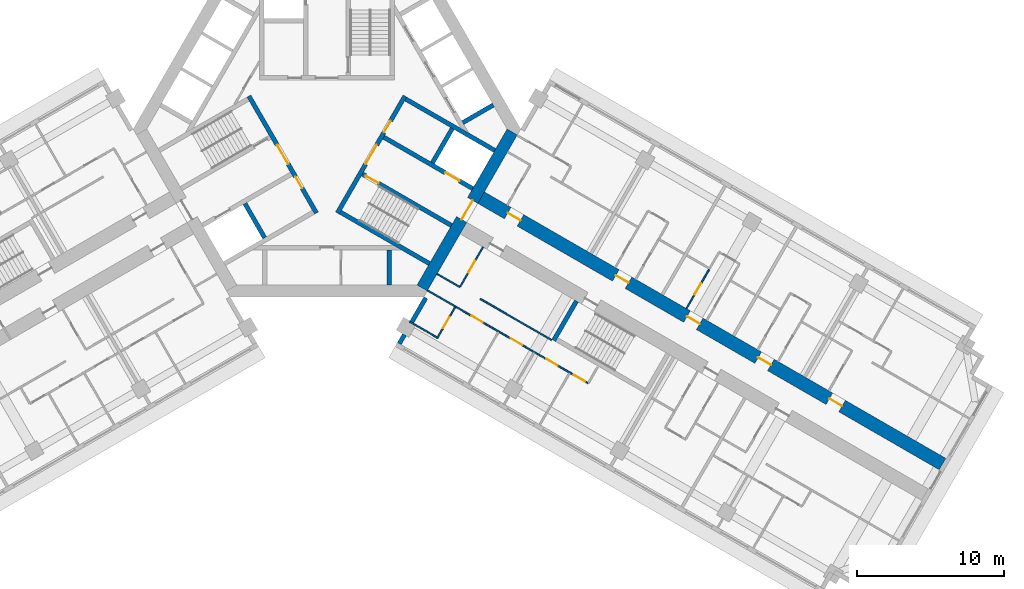
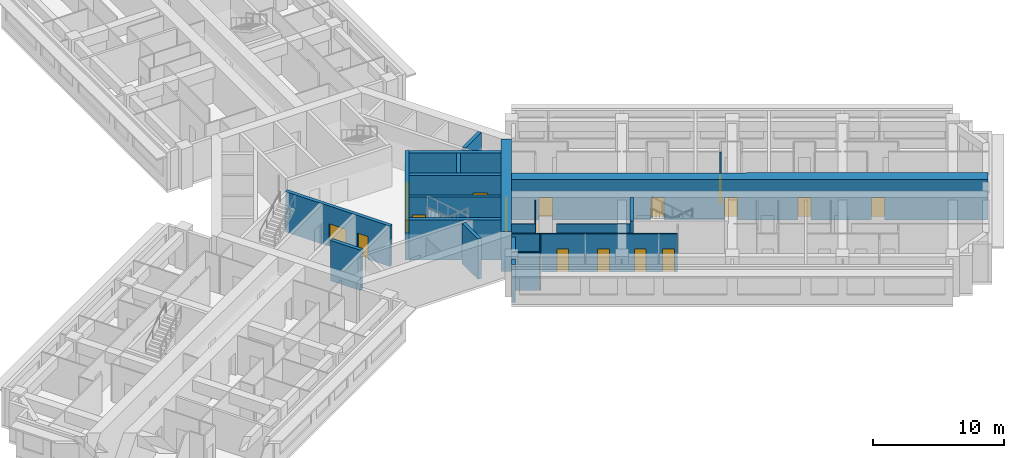
# One storey, part 6 of 14: 22 walls, 19 doors, 19 openings.
"""IFC4 building model written with IfcOpenShell, lengths in metres."""

from ifc_helpers import new_model, si_unit, direction, frame, frame_2d, origin, place, context, subcontext, project, spatial, rectangle, extrude, material, layer, layer_set, type_object, element, fill, save


model = new_model("IFC4")

# Units and contexts
model_context = context("Model", 3, precision=1e-05, world=origin(), true_north=direction((0.0, 1.0)))
body_context = subcontext(model_context, "Body", "Model", "MODEL_VIEW")
ifc_project = project(units=[si_unit("LENGTHUNIT", "METRE"), si_unit("AREAUNIT", "SQUARE_METRE"), si_unit("VOLUMEUNIT", "CUBIC_METRE"), si_unit("PLANEANGLEUNIT", "RADIAN"), si_unit("MASSUNIT", "GRAM", prefix="KILO")], contexts=[model_context])

# Site, building, storey
site_placement = place(None, origin())
site = spatial("IfcSite", under=ifc_project, at=site_placement, CompositionType="ELEMENT")
building_placement = place(site_placement, origin())
building = spatial("IfcBuilding", under=site, at=building_placement, Name="Impinga Residences", CompositionType="ELEMENT")
storey_placement = place(building_placement, frame((0.0, 0.0, 147.25)))
storey = spatial("IfcBuildingStorey", under=building, at=storey_placement, Name="L36", CompositionType="ELEMENT", Elevation=147.25)

# Wall, openings, doors
ifc_material_1 = material(Name="Concrete C60/75", Category="concrete")
ifc_layer_1 = layer(ifc_material_1, 0.89990234375)
ifc_layer_set_1 = layer_set([ifc_layer_1], Name="Concrete C60/75")
wall_type_1 = type_object("IfcWallType", Name="BW2 corridor buttress wall, L24 to L44 900", PredefinedType="SHEAR", material=ifc_layer_set_1)
wall_1_placement = place(storey_placement, frame((10.153564453125, -4.4765625, 0.0), z_axis=(0.0, 0.0, 1.0), x_axis=(0.866027614434, -0.499996171023, 0.0)))
wall_1 = element("IfcWall", 1, at=wall_1_placement, inside=storey, type_object=wall_type_1, Name="Corridor wall BW2 EC L36", PredefinedType="SHEAR", context=body_context, shape_type="SweptSolid", body=[
    extrude(rectangle(XDim=36.699951171875, YDim=0.89990234375, at=frame_2d((18.35009765625, 0.0))), origin(), (0.0, 0.0, 1.0), 3.75),
])
opening_1_placement = place(wall_1_placement, frame((2.5, 0.0, 0.0)))
opening_1 = element("IfcOpeningElement", 2, at=opening_1_placement, cuts=wall_1, Name="Opening D1", PredefinedType="OPENING", context=body_context, shape_type="SweptSolid", body=[
    extrude(rectangle(XDim=1.0, YDim=2.10009765625, at=frame_2d((0.5, 1.050048828125))), frame((0.0, 0.4599609375, 0.0), z_axis=(0.0, -1.0, 0.0), x_axis=(1.0, 0.0, 0.0)), (0.0, 0.0, 1.0), 0.919921875),
])
opening_2_placement = place(wall_1_placement, frame((11.0, 0.0, 0.0)))
opening_2 = element("IfcOpeningElement", 3, at=opening_2_placement, cuts=wall_1, Name="Opening D1", PredefinedType="OPENING", context=body_context, shape_type="SweptSolid", body=[
    extrude(rectangle(XDim=1.0, YDim=2.10009765625, at=frame_2d((0.5, 1.050048828125))), frame((0.0, 0.4599609375, 0.0), z_axis=(0.0, -1.0, 0.0), x_axis=(1.0, 0.0, 0.0)), (0.0, 0.0, 1.0), 0.919921875),
])
opening_3_placement = place(wall_1_placement, frame((16.60009765625, 0.0, 0.0)))
opening_3 = element("IfcOpeningElement", 4, at=opening_3_placement, cuts=wall_1, Name="Opening D1", PredefinedType="OPENING", context=body_context, shape_type="SweptSolid", body=[
    extrude(rectangle(XDim=1.0, YDim=2.10009765625, at=frame_2d((0.5, 1.050048828125))), frame((0.0, 0.4599609375, 0.0), z_axis=(0.0, -1.0, 0.0), x_axis=(1.0, 0.0, 0.0)), (0.0, 0.0, 1.0), 0.919921875),
])
opening_4_placement = place(wall_1_placement, frame((22.199951171875, 0.0, 0.0)))
opening_4 = element("IfcOpeningElement", 5, at=opening_4_placement, cuts=wall_1, Name="Opening D1", PredefinedType="OPENING", context=body_context, shape_type="SweptSolid", body=[
    extrude(rectangle(XDim=1.0, YDim=2.10009765625, at=frame_2d((0.5, 1.050048828125))), frame((0.0, 0.4599609375, 0.0), z_axis=(0.0, -1.0, 0.0), x_axis=(1.0, 0.0, 0.0)), (0.0, 0.0, 1.0), 0.919921875),
])
opening_5_placement = place(wall_1_placement, frame((27.800048828125, 0.0, 0.0)))
opening_5 = element("IfcOpeningElement", 6, at=opening_5_placement, cuts=wall_1, Name="Opening D1", PredefinedType="OPENING", context=body_context, shape_type="SweptSolid", body=[
    extrude(rectangle(XDim=1.0, YDim=2.10009765625, at=frame_2d((0.5, 1.050048828125))), frame((0.0, 0.4599609375, 0.0), z_axis=(0.0, -1.0, 0.0), x_axis=(1.0, 0.0, 0.0)), (0.0, 0.0, 1.0), 0.919921875),
])
ifc_material_2 = material(Name="Timber door set", Category="wood")
door_type_1 = type_object("IfcDoorType", Name="D1 apartment entrance door 1000x2100", OperationType="SINGLE_SWING_LEFT", PredefinedType="DOOR", material=ifc_material_2)
door_1_placement = place(opening_1_placement, origin())
door_1 = element("IfcDoor", 7, at=door_1_placement, inside=storey, type_object=door_type_1, Name="Apartment L36-EA1 entrance", OperationType="SINGLE_SWING_LEFT", OverallHeight=2.10009765625, OverallWidth=1.0, PredefinedType="DOOR", context=body_context, shape_type="SweptSolid", body=[
    extrude(rectangle(XDim=1.0, YDim=2.10009765625, at=frame_2d((0.5, 1.050048828125))), frame((0.0, 0.02490234375, 0.0), z_axis=(0.0, -1.0, 0.0), x_axis=(1.0, 0.0, 0.0)), (0.0, 0.0, 1.0), 0.050048828125),
])
fill(opening_1, door_1)
door_2_placement = place(opening_2_placement, origin())
door_2 = element("IfcDoor", 8, at=door_2_placement, inside=storey, type_object=door_type_1, Name="Apartment L36-EA2 entrance", OperationType="SINGLE_SWING_LEFT", OverallHeight=2.10009765625, OverallWidth=1.0, PredefinedType="DOOR", context=body_context, shape_type="SweptSolid", body=[
    extrude(rectangle(XDim=1.0, YDim=2.10009765625, at=frame_2d((0.5, 1.050048828125))), frame((0.0, 0.02490234375, 0.0), z_axis=(0.0, -1.0, 0.0), x_axis=(1.0, 0.0, 0.0)), (0.0, 0.0, 1.0), 0.050048828125),
])
fill(opening_2, door_2)
door_3_placement = place(opening_3_placement, origin())
door_3 = element("IfcDoor", 9, at=door_3_placement, inside=storey, type_object=door_type_1, Name="Apartment L36-EA3 entrance", OperationType="SINGLE_SWING_LEFT", OverallHeight=2.10009765625, OverallWidth=1.0, PredefinedType="DOOR", context=body_context, shape_type="SweptSolid", body=[
    extrude(rectangle(XDim=1.0, YDim=2.10009765625, at=frame_2d((0.5, 1.050048828125))), frame((0.0, 0.02490234375, 0.0), z_axis=(0.0, -1.0, 0.0), x_axis=(1.0, 0.0, 0.0)), (0.0, 0.0, 1.0), 0.050048828125),
])
fill(opening_3, door_3)
door_4_placement = place(opening_4_placement, origin())
door_4 = element("IfcDoor", 10, at=door_4_placement, inside=storey, type_object=door_type_1, Name="Apartment L36-EA4 entrance", OperationType="SINGLE_SWING_RIGHT", OverallHeight=2.10009765625, OverallWidth=1.0, PredefinedType="DOOR", context=body_context, shape_type="SweptSolid", body=[
    extrude(rectangle(XDim=1.0, YDim=2.10009765625, at=frame_2d((0.5, 1.050048828125))), frame((0.0, 0.02490234375, 0.0), z_axis=(0.0, -1.0, 0.0), x_axis=(1.0, 0.0, 0.0)), (0.0, 0.0, 1.0), 0.050048828125),
])
fill(opening_4, door_4)
door_5_placement = place(opening_5_placement, origin())
door_5 = element("IfcDoor", 11, at=door_5_placement, inside=storey, type_object=door_type_1, Name="Apartment L36-EA5 entrance", OperationType="SINGLE_SWING_RIGHT", OverallHeight=2.10009765625, OverallWidth=1.0, PredefinedType="DOOR", context=body_context, shape_type="SweptSolid", body=[
    extrude(rectangle(XDim=1.0, YDim=2.10009765625, at=frame_2d((0.5, 1.050048828125))), frame((0.0, 0.02490234375, 0.0), z_axis=(0.0, -1.0, 0.0), x_axis=(1.0, 0.0, 0.0)), (0.0, 0.0, 1.0), 0.050048828125),
])
fill(opening_5, door_5)

# Walls
ifc_material_3 = material(Name="Terracotta rainscreen on blockwork", Category="masonry")
ifc_layer_2 = layer(ifc_material_3, 0.300048828125)
ifc_layer_set_2 = layer_set([ifc_layer_2], Name="EW1 external wall, terracotta rainscreen on blockwork 300")
wall_type_2 = type_object("IfcWallType", Name="EW1 external wall, terracotta rainscreen on blockwork 300", PredefinedType="SOLIDWALL", material=ifc_layer_set_2)
wall_2_placement = place(storey_placement, frame((4.929931640625, -14.624267578125, 0.0), z_axis=(0.0, 0.0, 1.0), x_axis=(0.499853302173, 0.866110083249, 0.0)))
element("IfcWall", 12, at=wall_2_placement, inside=storey, type_object=wall_type_2, Name="External wall EW1 L36", PredefinedType="SOLIDWALL", context=body_context, shape_type="SweptSolid", body=[
    extrude(rectangle(XDim=0.699951171875, YDim=0.300048828125, at=frame_2d((0.35009765625, 0.0))), origin(), (0.0, 0.0, 1.0), 3.530029296875),
])
wall_3_placement = place(storey_placement, frame((5.77978515625, -13.152099609375, 0.0), z_axis=(0.0, 0.0, 1.0), x_axis=(0.500063520245, 0.865988727248, 0.0)))
element("IfcWall", 13, at=wall_3_placement, inside=storey, type_object=wall_type_2, Name="External wall EW1 L36", PredefinedType="SOLIDWALL", context=body_context, shape_type="SweptSolid", body=[
    extrude(rectangle(XDim=1.900146484375, YDim=0.300048828125, at=frame_2d((0.9501953125, 0.0))), origin(), (0.0, 0.0, 1.0), 3.530029296875),
])

# Wall, opening, door
ifc_material_4 = material(Name="Gypsum board on steel studs", Category="steel")
ifc_layer_3 = layer(ifc_material_4, 0.10009765625)
ifc_layer_set_3 = layer_set([ifc_layer_3], Name="Gypsum board on steel studs")
wall_type_3 = type_object("IfcWallType", Name="IP1 partition 100", PredefinedType="PARTITIONING", material=ifc_layer_set_3)
wall_4_placement = place(storey_placement, frame((24.494873046875, -12.23681640625, 0.0), z_axis=(0.0, 0.0, 1.0), x_axis=(0.500026960575, 0.86600983753, 0.0)))
wall_4 = element("IfcWall", 14, at=wall_4_placement, inside=storey, type_object=wall_type_3, Name="Partition L36-EA3:IB1", PredefinedType="PARTITIONING", context=body_context, shape_type="SweptSolid", body=[
    extrude(rectangle(XDim=3.099853515625, YDim=0.10009765625, at=frame_2d((1.5498046875, 0.0))), origin(), (0.0, 0.0, 1.0), 3.530029296875),
])
opening_6_placement = place(wall_4_placement, frame((1.10009765625, 0.0, 0.0)))
opening_6 = element("IfcOpeningElement", 15, at=opening_6_placement, cuts=wall_4, Name="Opening D2", PredefinedType="OPENING", context=body_context, shape_type="SweptSolid", body=[
    extrude(rectangle(XDim=0.89990234375, YDim=2.10009765625, at=frame_2d((0.449951171875, 1.050048828125))), frame((0.0, 0.06005859375, 0.0), z_axis=(0.0, -1.0, 0.0), x_axis=(1.0, 0.0, 0.0)), (0.0, 0.0, 1.0), 0.1201171875),
])
door_type_2 = type_object("IfcDoorType", Name="D2 internal door 900x2100", OperationType="SINGLE_SWING_LEFT", PredefinedType="DOOR", material=ifc_material_2)
door_6_placement = place(opening_6_placement, origin())
door_6 = element("IfcDoor", 16, at=door_6_placement, inside=storey, type_object=door_type_2, Name="Apartment L36-EA3 bathroom door", OperationType="SINGLE_SWING_LEFT", OverallHeight=2.10009765625, OverallWidth=0.89990234375, PredefinedType="DOOR", context=body_context, shape_type="SweptSolid", body=[
    extrude(rectangle(XDim=0.89990234375, YDim=2.10009765625, at=frame_2d((0.449951171875, 1.050048828125))), frame((0.0, 0.02490234375, 0.0), z_axis=(0.0, -1.0, 0.0), x_axis=(1.0, 0.0, 0.0)), (0.0, 0.0, 1.0), 0.050048828125),
])
fill(opening_6, door_6)

# Walls
wall_5_placement = place(storey_placement, frame((7.5, -9.872802734375, 0.0), z_axis=(0.0, 0.0, 1.0), x_axis=(0.866047807691, -0.499961193289, 0.0)))
element("IfcWall", 17, at=wall_5_placement, inside=storey, type_object=wall_type_3, Name="Partition L36-EF1:DIV0", PredefinedType="PARTITIONING", context=body_context, shape_type="SweptSolid", body=[
    extrude(rectangle(XDim=1.800048828125, YDim=0.10009765625, at=frame_2d((0.89990234375, 0.0))), origin(), (0.0, 0.0, 1.0), 3.530029296875),
])
wall_6_placement = place(storey_placement, frame((10.444580078125, -11.57275390625, 0.0), z_axis=(0.0, 0.0, 1.0), x_axis=(0.866015695474, -0.500016814911, 0.0)))
element("IfcWall", 18, at=wall_6_placement, inside=storey, type_object=wall_type_3, Name="Partition L36-EF1:DIV1", PredefinedType="PARTITIONING", context=body_context, shape_type="SweptSolid", body=[
    extrude(rectangle(XDim=5.599853515625, YDim=0.10009765625, at=frame_2d((2.7998046875, 0.0))), origin(), (0.0, 0.0, 1.0), 3.530029296875),
])

# Wall, openings, doors
wall_7_placement = place(storey_placement, frame((6.85009765625, -10.99853515625, 0.0), z_axis=(0.0, 0.0, 1.0), x_axis=(0.866024244478, -0.500002007972, 0.0)))
wall_7 = element("IfcWall", 19, at=wall_7_placement, inside=storey, type_object=wall_type_3, Name="Partition L36-EF1:STRIP", PredefinedType="PARTITIONING", context=body_context, shape_type="SweptSolid", body=[
    extrude(rectangle(XDim=12.64990234375, YDim=0.10009765625, at=frame_2d((6.324951171875, 0.0))), origin(), (0.0, 0.0, 1.0), 3.530029296875),
])
opening_7_placement = place(wall_7_placement, frame((3.449951171875, 0.0, 0.0)))
opening_7 = element("IfcOpeningElement", 20, at=opening_7_placement, cuts=wall_7, Name="Opening D2", PredefinedType="OPENING", context=body_context, shape_type="SweptSolid", body=[
    extrude(rectangle(XDim=0.89990234375, YDim=2.10009765625, at=frame_2d((0.449951171875, 1.050048828125))), frame((0.0, 0.06005859375, 0.0), z_axis=(0.0, -1.0, 0.0), x_axis=(1.0, 0.0, 0.0)), (0.0, 0.0, 1.0), 0.1201171875),
])
opening_8_placement = place(wall_7_placement, frame((6.550048828125, 0.0, 0.0)))
opening_8 = element("IfcOpeningElement", 21, at=opening_8_placement, cuts=wall_7, Name="Opening D2", PredefinedType="OPENING", context=body_context, shape_type="SweptSolid", body=[
    extrude(rectangle(XDim=0.89990234375, YDim=2.10009765625, at=frame_2d((0.449951171875, 1.050048828125))), frame((0.0, 0.06005859375, 0.0), z_axis=(0.0, -1.0, 0.0), x_axis=(1.0, 0.0, 0.0)), (0.0, 0.0, 1.0), 0.1201171875),
])
opening_9_placement = place(wall_7_placement, frame((9.35009765625, 0.0, 0.0)))
opening_9 = element("IfcOpeningElement", 22, at=opening_9_placement, cuts=wall_7, Name="Opening D2", PredefinedType="OPENING", context=body_context, shape_type="SweptSolid", body=[
    extrude(rectangle(XDim=0.89990234375, YDim=2.10009765625, at=frame_2d((0.449951171875, 1.050048828125))), frame((0.0, 0.06005859375, 0.0), z_axis=(0.0, -1.0, 0.0), x_axis=(1.0, 0.0, 0.0)), (0.0, 0.0, 1.0), 0.1201171875),
])
opening_10_placement = place(wall_7_placement, frame((11.5, 0.0, 0.0)))
opening_10 = element("IfcOpeningElement", 23, at=opening_10_placement, cuts=wall_7, Name="Opening D2", PredefinedType="OPENING", context=body_context, shape_type="SweptSolid", body=[
    extrude(rectangle(XDim=0.89990234375, YDim=2.10009765625, at=frame_2d((0.449951171875, 1.050048828125))), frame((0.0, 0.06005859375, 0.0), z_axis=(0.0, -1.0, 0.0), x_axis=(1.0, 0.0, 0.0)), (0.0, 0.0, 1.0), 0.1201171875),
])
door_7_placement = place(opening_7_placement, origin())
door_7 = element("IfcDoor", 24, at=door_7_placement, inside=storey, type_object=door_type_2, Name="Apartment L36-EF1 room door", OperationType="SINGLE_SWING_LEFT", OverallHeight=2.10009765625, OverallWidth=0.89990234375, PredefinedType="DOOR", context=body_context, shape_type="SweptSolid", body=[
    extrude(rectangle(XDim=0.89990234375, YDim=2.10009765625, at=frame_2d((0.449951171875, 1.050048828125))), frame((0.0, 0.02490234375, 0.0), z_axis=(0.0, -1.0, 0.0), x_axis=(1.0, 0.0, 0.0)), (0.0, 0.0, 1.0), 0.050048828125),
])
fill(opening_7, door_7)
door_8_placement = place(opening_8_placement, origin())
door_8 = element("IfcDoor", 25, at=door_8_placement, inside=storey, type_object=door_type_2, Name="Apartment L36-EF1 room door", OperationType="SINGLE_SWING_RIGHT", OverallHeight=2.10009765625, OverallWidth=0.89990234375, PredefinedType="DOOR", context=body_context, shape_type="SweptSolid", body=[
    extrude(rectangle(XDim=0.89990234375, YDim=2.10009765625, at=frame_2d((0.449951171875, 1.050048828125))), frame((0.0, 0.02490234375, 0.0), z_axis=(0.0, -1.0, 0.0), x_axis=(1.0, 0.0, 0.0)), (0.0, 0.0, 1.0), 0.050048828125),
])
fill(opening_8, door_8)
door_9_placement = place(opening_9_placement, origin())
door_9 = element("IfcDoor", 26, at=door_9_placement, inside=storey, type_object=door_type_2, Name="Apartment L36-EF1 room door", OperationType="SINGLE_SWING_RIGHT", OverallHeight=2.10009765625, OverallWidth=0.89990234375, PredefinedType="DOOR", context=body_context, shape_type="SweptSolid", body=[
    extrude(rectangle(XDim=0.89990234375, YDim=2.10009765625, at=frame_2d((0.449951171875, 1.050048828125))), frame((0.0, 0.02490234375, 0.0), z_axis=(0.0, -1.0, 0.0), x_axis=(1.0, 0.0, 0.0)), (0.0, 0.0, 1.0), 0.050048828125),
])
fill(opening_9, door_9)
door_10_placement = place(opening_10_placement, origin())
door_10 = element("IfcDoor", 27, at=door_10_placement, inside=storey, type_object=door_type_2, Name="Apartment L36-EF1 room door", OperationType="SINGLE_SWING_RIGHT", OverallHeight=2.10009765625, OverallWidth=0.89990234375, PredefinedType="DOOR", context=body_context, shape_type="SweptSolid", body=[
    extrude(rectangle(XDim=0.89990234375, YDim=2.10009765625, at=frame_2d((0.449951171875, 1.050048828125))), frame((0.0, 0.02490234375, 0.0), z_axis=(0.0, -1.0, 0.0), x_axis=(1.0, 0.0, 0.0)), (0.0, 0.0, 1.0), 0.050048828125),
])
fill(opening_10, door_10)

# Wall, opening, door
wall_8_placement = place(storey_placement, frame((10.6337890625, -8.044677734375, 0.0), z_axis=(0.0, 0.0, 1.0), x_axis=(-0.49999285859, -0.86602952684, 0.0)))
wall_8 = element("IfcWall", 28, at=wall_8_placement, inside=storey, type_object=wall_type_3, Name="Partition L36-EF1:IB1", PredefinedType="PARTITIONING", context=body_context, shape_type="SweptSolid", body=[
    extrude(rectangle(XDim=3.10009765625, YDim=0.10009765625, at=frame_2d((1.550048828125, 0.0))), origin(), (0.0, 0.0, 1.0), 3.530029296875),
])
opening_11_placement = place(wall_8_placement, frame((1.10009765625, 0.0, 0.0)))
opening_11 = element("IfcOpeningElement", 29, at=opening_11_placement, cuts=wall_8, Name="Opening D2", PredefinedType="OPENING", context=body_context, shape_type="SweptSolid", body=[
    extrude(rectangle(XDim=0.89990234375, YDim=2.10009765625, at=frame_2d((0.449951171875, 1.050048828125))), frame((0.0, 0.06005859375, 0.0), z_axis=(0.0, -1.0, 0.0), x_axis=(1.0, 0.0, 0.0)), (0.0, 0.0, 1.0), 0.1201171875),
])
door_11_placement = place(opening_11_placement, origin())
door_11 = element("IfcDoor", 30, at=door_11_placement, inside=storey, type_object=door_type_2, Name="Apartment L36-EF1 bathroom door", OperationType="SINGLE_SWING_LEFT", OverallHeight=2.10009765625, OverallWidth=0.89990234375, PredefinedType="DOOR", context=body_context, shape_type="SweptSolid", body=[
    extrude(rectangle(XDim=0.89990234375, YDim=2.10009765625, at=frame_2d((0.449951171875, 1.050048828125))), frame((0.0, 0.02490234375, 0.0), z_axis=(0.0, -1.0, 0.0), x_axis=(1.0, 0.0, 0.0)), (0.0, 0.0, 1.0), 0.050048828125),
])
fill(opening_11, door_11)

wall_9_placement = place(storey_placement, frame((8.730224609375, -12.141845703125, 0.0), z_axis=(0.0, 0.0, 1.0), x_axis=(-0.499943856944, -0.866057815567, 0.0)))
wall_9 = element("IfcWall", 31, at=wall_9_placement, inside=storey, type_object=wall_type_3, Name="Partition L36-EF1:EN1", PredefinedType="PARTITIONING", context=body_context, shape_type="SweptSolid", body=[
    extrude(rectangle(XDim=2.449951171875, YDim=0.10009765625, at=frame_2d((1.22509765625, 0.0))), origin(), (0.0, 0.0, 1.0), 3.530029296875),
])
opening_12_placement = place(wall_9_placement, frame((0.75, 0.0, 0.0)))
opening_12 = element("IfcOpeningElement", 32, at=opening_12_placement, cuts=wall_9, Name="Opening D2", PredefinedType="OPENING", context=body_context, shape_type="SweptSolid", body=[
    extrude(rectangle(XDim=0.89990234375, YDim=2.10009765625, at=frame_2d((0.449951171875, 1.050048828125))), frame((0.0, 0.06005859375, 0.0), z_axis=(0.0, -1.0, 0.0), x_axis=(1.0, 0.0, 0.0)), (0.0, 0.0, 1.0), 0.1201171875),
])
door_12_placement = place(opening_12_placement, origin())
door_12 = element("IfcDoor", 33, at=door_12_placement, inside=storey, type_object=door_type_2, Name="Apartment L36-EF1 en-suite door", OperationType="SINGLE_SWING_LEFT", OverallHeight=2.10009765625, OverallWidth=0.89990234375, PredefinedType="DOOR", context=body_context, shape_type="SweptSolid", body=[
    extrude(rectangle(XDim=0.89990234375, YDim=2.10009765625, at=frame_2d((0.449951171875, 1.050048828125))), frame((0.0, 0.02490234375, 0.0), z_axis=(0.0, -1.0, 0.0), x_axis=(1.0, 0.0, 0.0)), (0.0, 0.0, 1.0), 0.050048828125),
])
fill(opening_12, door_12)

# Walls
wall_10_placement = place(storey_placement, frame((5.625, -13.120361328125, 0.0), z_axis=(0.0, 0.0, 1.0), x_axis=(0.866047553582, -0.499961633463, 0.0)))
element("IfcWall", 34, at=wall_10_placement, inside=storey, type_object=wall_type_3, Name="Partition L36-EF1:EN2", PredefinedType="PARTITIONING", context=body_context, shape_type="SweptSolid", body=[
    extrude(rectangle(XDim=2.150146484375, YDim=0.10009765625, at=frame_2d((1.0751953125, 0.0))), origin(), (0.0, 0.0, 1.0), 3.530029296875),
])
ifc_layer_4 = layer(ifc_material_1, 0.300048828125)
ifc_layer_set_4 = layer_set([ifc_layer_4], Name="Concrete C60/75")
wall_type_4 = type_object("IfcWallType", Name="SE1 wing stair enclosure wall 300", PredefinedType="SOLIDWALL", material=ifc_layer_set_4)
wall_11_placement = place(storey_placement, frame((16.9990234375, -11.7197265625, 0.0), z_axis=(0.0, 0.0, 1.0), x_axis=(-0.499967891604, -0.866043940782, 0.0)))
element("IfcWall", 35, at=wall_11_placement, inside=storey, type_object=wall_type_4, Name="Stair enclosure wall SE1 E END0 L36", PredefinedType="SOLIDWALL", context=body_context, shape_type="SweptSolid", body=[
    extrude(rectangle(XDim=3.099853515625, YDim=0.300048828125, at=frame_2d((1.5498046875, 0.0))), origin(), (0.0, 0.0, 1.0), 3.75),
])

# Wall, opening, door
ifc_layer_5 = layer(ifc_material_1, 0.800048828125)
ifc_layer_set_5 = layer_set([ifc_layer_5], Name="Concrete C60/75")
wall_type_5 = type_object("IfcWallType", Name="SW2 core wall 800", PredefinedType="SHEAR", material=ifc_layer_set_5)
wall_12_placement = place(storey_placement, frame((12.62255859375, -0.199951171875, 0.0), z_axis=(0.0, 0.0, 1.0), x_axis=(-0.499986991068, -0.866032914365, 0.0)))
wall_12 = element("IfcWall", 36, at=wall_12_placement, inside=storey, type_object=wall_type_5, Name="Core wall SW2 E:FACE L36", PredefinedType="SHEAR", context=body_context, shape_type="SweptSolid", body=[
    extrude(rectangle(XDim=12.276123046875, YDim=0.800048828125, at=frame_2d((6.13818359375, 0.0))), origin(), (0.0, 0.0, 1.0), 3.75),
])
opening_13_placement = place(wall_12_placement, frame((5.38818359375, 0.0, 0.0)))
opening_13 = element("IfcOpeningElement", 37, at=opening_13_placement, cuts=wall_12, Name="Opening D4", PredefinedType="OPENING", context=body_context, shape_type="SweptSolid", body=[
    extrude(rectangle(XDim=1.5, YDim=2.10009765625, at=frame_2d((0.75, 1.050048828125))), frame((0.0, 0.409912109375, 0.0), z_axis=(0.0, -1.0, 0.0), x_axis=(1.0, 0.0, 0.0)), (0.0, 0.0, 1.0), 0.820068359375),
])
door_type_3 = type_object("IfcDoorType", Name="D4 lobby door pair 1500x2100", OperationType="DOUBLE_DOOR_DOUBLE_SWING", PredefinedType="DOOR", material=ifc_material_2)
door_13_placement = place(opening_13_placement, origin())
door_13 = element("IfcDoor", 38, at=door_13_placement, inside=storey, type_object=door_type_3, Name="Lobby door E", OperationType="DOUBLE_DOOR_DOUBLE_SWING", OverallHeight=2.10009765625, OverallWidth=1.5, PredefinedType="DOOR", context=body_context, shape_type="SweptSolid", body=[
    extrude(rectangle(XDim=1.5, YDim=2.10009765625, at=frame_2d((0.75, 1.050048828125))), frame((0.0, 0.02490234375, 0.0), z_axis=(0.0, -1.0, 0.0), x_axis=(1.0, 0.0, 0.0)), (0.0, 0.0, 1.0), 0.050048828125),
])
fill(opening_13, door_13)

# Wall, openings, doors
ifc_material_5 = material(Name="Concrete C70/85", Category="concrete")
ifc_layer_6 = layer(ifc_material_5, 0.300048828125)
ifc_layer_set_6 = layer_set([ifc_layer_6], Name="Concrete C70/85")
wall_type_6 = type_object("IfcWallType", Name="SW5 core inner wall, stairs, shafts and lobbies 300", PredefinedType="SHEAR", material=ifc_layer_set_6)
wall_13_placement = place(storey_placement, frame((-0.7138671875, -5.7236328125, 0.0), z_axis=(0.0, 0.0, 1.0), x_axis=(-0.499995050369, 0.866028261437, 0.0)))
wall_13 = element("IfcWall", 39, at=wall_13_placement, inside=storey, type_object=wall_type_6, Name="Core wall SW5 W:ZONE L36", PredefinedType="SHEAR", context=body_context, shape_type="SweptSolid", body=[
    extrude(rectangle(XDim=9.19970703125, YDim=0.300048828125, at=frame_2d((4.599853515625, 0.0))), origin(), (0.0, 0.0, 1.0), 3.75),
])
opening_14_placement = place(wall_13_placement, frame((3.85009765625, 0.0, 0.0)))
opening_14 = element("IfcOpeningElement", 40, at=opening_14_placement, cuts=wall_13, Name="Opening D4", PredefinedType="OPENING", context=body_context, shape_type="SweptSolid", body=[
    extrude(rectangle(XDim=1.5, YDim=2.10009765625, at=frame_2d((0.75, 1.050048828125))), frame((0.0, 0.159912109375, 0.0), z_axis=(0.0, -1.0, 0.0), x_axis=(1.0, 0.0, 0.0)), (0.0, 0.0, 1.0), 0.320068359375),
])
opening_15_placement = place(wall_13_placement, frame((1.949951171875, 0.0, 0.0)))
opening_15 = element("IfcOpeningElement", 41, at=opening_15_placement, cuts=wall_13, Name="Opening D6", PredefinedType="OPENING", context=body_context, shape_type="SweptSolid", body=[
    extrude(rectangle(XDim=0.89990234375, YDim=2.10009765625, at=frame_2d((0.449951171875, 1.050048828125))), frame((0.0, 0.159912109375, 0.0), z_axis=(0.0, -1.0, 0.0), x_axis=(1.0, 0.0, 0.0)), (0.0, 0.0, 1.0), 0.320068359375),
])
door_14_placement = place(opening_14_placement, origin())
door_14 = element("IfcDoor", 42, at=door_14_placement, inside=storey, type_object=door_type_3, Name="Firefighting lobby door W", OperationType="DOUBLE_DOOR_DOUBLE_SWING", OverallHeight=2.10009765625, OverallWidth=1.5, PredefinedType="DOOR", context=body_context, shape_type="SweptSolid", body=[
    extrude(rectangle(XDim=1.5, YDim=2.10009765625, at=frame_2d((0.75, 1.050048828125))), frame((0.0, 0.02490234375, 0.0), z_axis=(0.0, -1.0, 0.0), x_axis=(1.0, 0.0, 0.0)), (0.0, 0.0, 1.0), 0.050048828125),
])
fill(opening_14, door_14)
door_type_4 = type_object("IfcDoorType", Name="D6 riser and store door 900x2100", OperationType="SINGLE_SWING_LEFT", PredefinedType="DOOR", material=ifc_material_2)
door_15_placement = place(opening_15_placement, origin())
door_15 = element("IfcDoor", 43, at=door_15_placement, inside=storey, type_object=door_type_4, Name="Riser door W", OperationType="SINGLE_SWING_LEFT", OverallHeight=2.10009765625, OverallWidth=0.89990234375, PredefinedType="DOOR", context=body_context, shape_type="SweptSolid", body=[
    extrude(rectangle(XDim=0.89990234375, YDim=2.10009765625, at=frame_2d((0.449951171875, 1.050048828125))), frame((0.0, 0.02490234375, 0.0), z_axis=(0.0, -1.0, 0.0), x_axis=(1.0, 0.0, 0.0)), (0.0, 0.0, 1.0), 0.050048828125),
])
fill(opening_15, door_15)

# Wall
wall_14_placement = place(storey_placement, frame((-4.2412109375, -7.413818359375, 0.0), z_axis=(0.0, 0.0, 1.0), x_axis=(-0.500048589285, 0.86599734893, 0.0)))
element("IfcWall", 44, at=wall_14_placement, inside=storey, type_object=wall_type_6, Name="Core wall SW5 W:FF-RS L36", PredefinedType="SHEAR", context=body_context, shape_type="SweptSolid", body=[
    extrude(rectangle(XDim=2.699951171875, YDim=0.300048828125, at=frame_2d((1.35009765625, 0.0))), origin(), (0.0, 0.0, 1.0), 3.75),
])

# Wall, openings, doors
wall_15_placement = place(storey_placement, frame((5.313720703125, 2.24365234375, 0.0), z_axis=(0.0, 0.0, 1.0), x_axis=(-0.499995050369, -0.866028261437, 0.0)))
wall_15 = element("IfcWall", 45, at=wall_15_placement, inside=storey, type_object=wall_type_6, Name="Core wall SW5 E:ZONE L36", PredefinedType="SHEAR", context=body_context, shape_type="SweptSolid", body=[
    extrude(rectangle(XDim=9.19970703125, YDim=0.300048828125, at=frame_2d((4.599853515625, 0.0))), origin(), (0.0, 0.0, 1.0), 3.75),
])
opening_16_placement = place(wall_15_placement, frame((3.85009765625, 0.0, 0.0)))
opening_16 = element("IfcOpeningElement", 46, at=opening_16_placement, cuts=wall_15, Name="Opening D4", PredefinedType="OPENING", context=body_context, shape_type="SweptSolid", body=[
    extrude(rectangle(XDim=1.5, YDim=2.10009765625, at=frame_2d((0.75, 1.050048828125))), frame((0.0, 0.159912109375, 0.0), z_axis=(0.0, -1.0, 0.0), x_axis=(1.0, 0.0, 0.0)), (0.0, 0.0, 1.0), 0.320068359375),
])
opening_17_placement = place(wall_15_placement, frame((1.949951171875, 0.0, 0.0)))
opening_17 = element("IfcOpeningElement", 47, at=opening_17_placement, cuts=wall_15, Name="Opening D6", PredefinedType="OPENING", context=body_context, shape_type="SweptSolid", body=[
    extrude(rectangle(XDim=0.89990234375, YDim=2.10009765625, at=frame_2d((0.449951171875, 1.050048828125))), frame((0.0, 0.159912109375, 0.0), z_axis=(0.0, -1.0, 0.0), x_axis=(1.0, 0.0, 0.0)), (0.0, 0.0, 1.0), 0.320068359375),
])
door_16_placement = place(opening_16_placement, origin())
door_16 = element("IfcDoor", 48, at=door_16_placement, inside=storey, type_object=door_type_3, Name="Firefighting lobby door E", OperationType="DOUBLE_DOOR_DOUBLE_SWING", OverallHeight=2.10009765625, OverallWidth=1.5, PredefinedType="DOOR", context=body_context, shape_type="SweptSolid", body=[
    extrude(rectangle(XDim=1.5, YDim=2.10009765625, at=frame_2d((0.75, 1.050048828125))), frame((0.0, 0.02490234375, 0.0), z_axis=(0.0, -1.0, 0.0), x_axis=(1.0, 0.0, 0.0)), (0.0, 0.0, 1.0), 0.050048828125),
])
fill(opening_16, door_16)
door_17_placement = place(opening_17_placement, origin())
door_17 = element("IfcDoor", 49, at=door_17_placement, inside=storey, type_object=door_type_4, Name="Riser door E", OperationType="SINGLE_SWING_LEFT", OverallHeight=2.10009765625, OverallWidth=0.89990234375, PredefinedType="DOOR", context=body_context, shape_type="SweptSolid", body=[
    extrude(rectangle(XDim=0.89990234375, YDim=2.10009765625, at=frame_2d((0.449951171875, 1.050048828125))), frame((0.0, 0.02490234375, 0.0), z_axis=(0.0, -1.0, 0.0), x_axis=(1.0, 0.0, 0.0)), (0.0, 0.0, 1.0), 0.050048828125),
])
fill(opening_17, door_17)

# Wall, opening, door
wall_16_placement = place(storey_placement, frame((2.418701171875, -3.07080078125, 0.0), z_axis=(0.0, 0.0, 1.0), x_axis=(0.866026480128, -0.499998135713, 0.0)))
wall_16 = element("IfcWall", 50, at=wall_16_placement, inside=storey, type_object=wall_type_6, Name="Core wall SW5 E:ST-IN L36", PredefinedType="SHEAR", context=body_context, shape_type="SweptSolid", body=[
    extrude(rectangle(XDim=7.00146484375, YDim=0.300048828125, at=frame_2d((3.500732421875, 0.0))), origin(), (0.0, 0.0, 1.0), 3.75),
])
opening_18_placement = place(wall_16_placement, frame((0.25, 0.0, 0.0)))
opening_18 = element("IfcOpeningElement", 51, at=opening_18_placement, cuts=wall_16, Name="Opening D5", PredefinedType="OPENING", context=body_context, shape_type="SweptSolid", body=[
    extrude(rectangle(XDim=1.0, YDim=2.10009765625, at=frame_2d((0.5, 1.050048828125))), frame((0.0, 0.159912109375, 0.0), z_axis=(0.0, -1.0, 0.0), x_axis=(1.0, 0.0, 0.0)), (0.0, 0.0, 1.0), 0.320068359375),
])
door_type_5 = type_object("IfcDoorType", Name="D5 stair door 1000x2100", OperationType="SINGLE_SWING_LEFT", PredefinedType="DOOR", material=ifc_material_2)
door_18_placement = place(opening_18_placement, origin())
door_18 = element("IfcDoor", 52, at=door_18_placement, inside=storey, type_object=door_type_5, Name="Stair door E", OperationType="SINGLE_SWING_LEFT", OverallHeight=2.10009765625, OverallWidth=1.0, PredefinedType="DOOR", context=body_context, shape_type="SweptSolid", body=[
    extrude(rectangle(XDim=1.0, YDim=2.10009765625, at=frame_2d((0.5, 1.050048828125))), frame((0.0, 0.02490234375, 0.0), z_axis=(0.0, -1.0, 0.0), x_axis=(1.0, 0.0, 0.0)), (0.0, 0.0, 1.0), 0.050048828125),
])
fill(opening_18, door_18)

# Wall
wall_17_placement = place(storey_placement, frame((0.918701171875, -5.668701171875, 0.0), z_axis=(0.0, 0.0, 1.0), x_axis=(0.866011380966, -0.500024287448, 0.0)))
element("IfcWall", 53, at=wall_17_placement, inside=storey, type_object=wall_type_6, Name="Core wall SW5 E:ST-OUT L36", PredefinedType="SHEAR", context=body_context, shape_type="SweptSolid", body=[
    extrude(rectangle(XDim=7.001708984375, YDim=0.300048828125, at=frame_2d((3.5009765625, 0.0))), origin(), (0.0, 0.0, 1.0), 3.75),
])

# Wall, opening, door
wall_18_placement = place(storey_placement, frame((3.86865234375, -0.559326171875, 0.0), z_axis=(0.0, 0.0, 1.0), x_axis=(0.866026480128, -0.499998135713, 0.0)))
wall_18 = element("IfcWall", 54, at=wall_18_placement, inside=storey, type_object=wall_type_6, Name="Core wall SW5 E:FF-IN L36", PredefinedType="SHEAR", context=body_context, shape_type="SweptSolid", body=[
    extrude(rectangle(XDim=7.00146484375, YDim=0.300048828125, at=frame_2d((3.500732421875, 0.0))), origin(), (0.0, 0.0, 1.0), 3.75),
])
opening_19_placement = place(wall_18_placement, frame((4.85009765625, 0.0, 0.0)))
opening_19 = element("IfcOpeningElement", 55, at=opening_19_placement, cuts=wall_18, Name="Opening LD2", PredefinedType="OPENING", context=body_context, shape_type="SweptSolid", body=[
    extrude(rectangle(XDim=1.10009765625, YDim=2.10009765625, at=frame_2d((0.550048828125, 1.050048828125))), frame((0.0, 0.159912109375, 0.0), z_axis=(0.0, -1.0, 0.0), x_axis=(1.0, 0.0, 0.0)), (0.0, 0.0, 1.0), 0.320068359375),
])
ifc_material_6 = material(Name="Steel lift landing door", Category="steel")
door_type_6 = type_object("IfcDoorType", Name="LD2 firefighting lift landing door 1100x2100", OperationType="DOUBLE_DOOR_SLIDING", PredefinedType="DOOR", material=ifc_material_6)
door_19_placement = place(opening_19_placement, origin())
door_19 = element("IfcDoor", 56, at=door_19_placement, inside=storey, type_object=door_type_6, Name="Firefighting lift landing door F3", OperationType="DOUBLE_DOOR_SLIDING", OverallHeight=2.10009765625, OverallWidth=1.10009765625, PredefinedType="DOOR", context=body_context, shape_type="SweptSolid", body=[
    extrude(rectangle(XDim=1.10009765625, YDim=2.10009765625, at=frame_2d((0.550048828125, 1.050048828125))), frame((0.0, 0.02490234375, 0.0), z_axis=(0.0, -1.0, 0.0), x_axis=(1.0, 0.0, 0.0)), (0.0, 0.0, 1.0), 0.050048828125),
])
fill(opening_19, door_19)

# Walls
wall_19_placement = place(storey_placement, frame((5.36865234375, 2.038818359375, 0.0), z_axis=(0.0, 0.0, 1.0), x_axis=(0.866026480128, -0.499998135713, 0.0)))
element("IfcWall", 57, at=wall_19_placement, inside=storey, type_object=wall_type_6, Name="Core wall SW5 E:FF-OUT L36", PredefinedType="SHEAR", context=body_context, shape_type="SweptSolid", body=[
    extrude(rectangle(XDim=7.00146484375, YDim=0.300048828125, at=frame_2d((3.500732421875, 0.0))), origin(), (0.0, 0.0, 1.0), 3.75),
])
wall_20_placement = place(storey_placement, frame((8.541259765625, 0.033935546875, 0.0), z_axis=(0.0, 0.0, 1.0), x_axis=(-0.50000943426, -0.866019956843, 0.0)))
element("IfcWall", 58, at=wall_20_placement, inside=storey, type_object=wall_type_6, Name="Core wall SW5 E:FF-RS L36", PredefinedType="SHEAR", context=body_context, shape_type="SweptSolid", body=[
    extrude(rectangle(XDim=2.7001953125, YDim=0.300048828125, at=frame_2d((1.35009765625, 0.0))), origin(), (0.0, 0.0, 1.0), 3.75),
])
for number, where, z_axis, x_axis, name in (
    (59, (4.25, -8.2314453125, 0.0), (0.0, 0.0, 1.0), (0.0, -1.0, 0.0), "Core wall SW5 N:BANK-L L36"),
    (60, (9.253662109375, 0.43505859375, 0.0), (0.0, 0.0, 1.0), (0.866006032174, 0.500033551112, 0.0), "Core wall SW5 W:BANK-R L36"),
):
    element("IfcWall", number, at=place(storey_placement, frame(where, z_axis=z_axis, x_axis=x_axis)), inside=storey, type_object=wall_type_6, Name=name, PredefinedType="SHEAR", context=body_context, shape_type="SweptSolid", body=[
        extrude(rectangle(XDim=2.400146484375, YDim=0.300048828125, at=frame_2d((1.2001953125, 0.0))), origin(), (0.0, 0.0, 1.0), 3.75),
    ])

save(model, "model.ifc")
